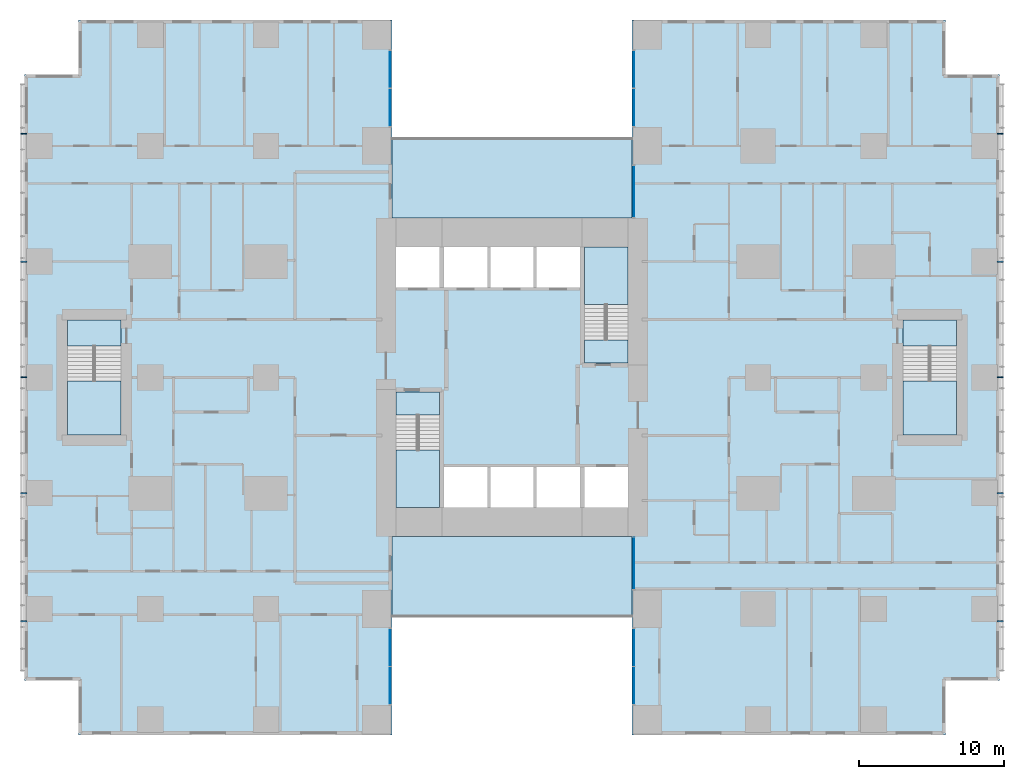
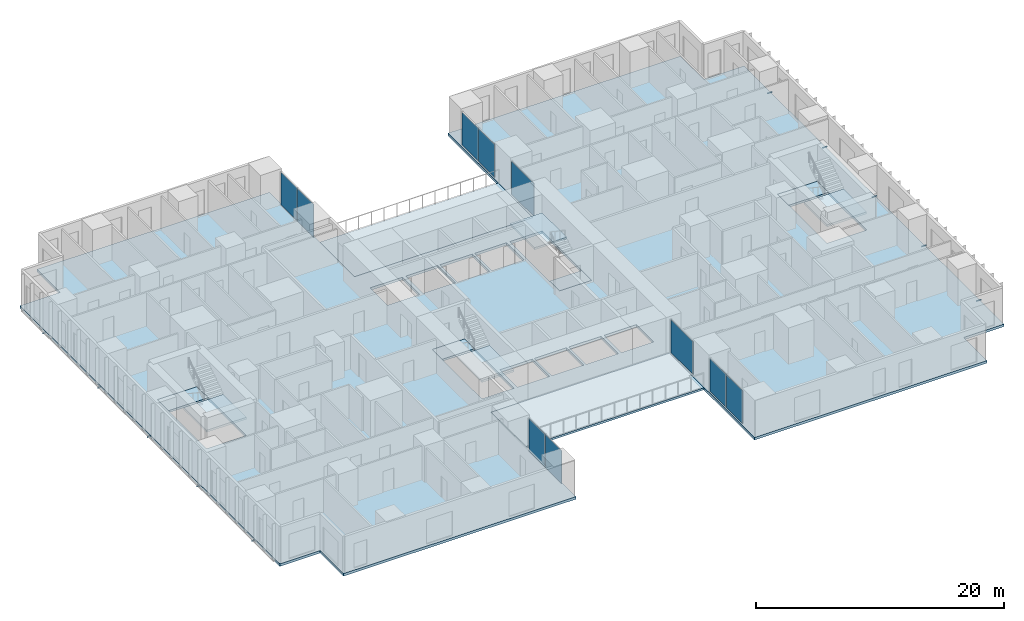
# One storey, part 7 of 20: 11 slabs, 10 members, 10 plates, 10 elements without a shape of their own.
"""IFC4 building model written with IfcOpenShell, lengths in metres."""

from ifc_helpers import new_model, si_unit, direction, frame, origin, origin_2d, place, context, subcontext, project, spatial, polyline, rectangle, hollow_rectangle, outline, extrude, material, layer, layer_set, material_profile, profile_set, type_object, element, aggregate, save


model = new_model("IFC4")

# Units and contexts
model_context = context("Model", 3, precision=1e-05, world=origin(), true_north=direction((0.0, 1.0)))
body_context = subcontext(model_context, "Body", "Model", "MODEL_VIEW")
ifc_project = project(units=[si_unit("LENGTHUNIT", "METRE"), si_unit("AREAUNIT", "SQUARE_METRE"), si_unit("VOLUMEUNIT", "CUBIC_METRE"), si_unit("PLANEANGLEUNIT", "RADIAN"), si_unit("MASSUNIT", "GRAM", prefix="KILO")], contexts=[model_context])

# Site, building, storey
site_placement = place(None, origin())
site = spatial("IfcSite", under=ifc_project, at=site_placement, CompositionType="ELEMENT")
building_placement = place(site_placement, origin())
building = spatial("IfcBuilding", under=site, at=building_placement, Name="Cleftline Residences", CompositionType="ELEMENT")
storey_placement = place(building_placement, frame((0.0, 0.0, 182.199951171875)))
storey = spatial("IfcBuildingStorey", under=building, at=storey_placement, Name="L47", CompositionType="ELEMENT", Elevation=182.199951171875)

# Members
ifc_material_1 = material(Name="Steel S355, hot-dip galvanised", Category="steel")
ifc_material_profile = material_profile(ifc_material_1, hollow_rectangle(XDim=0.10009765625, YDim=0.10009765625, WallThickness=0.008056640625, InnerFilletRadius=0.008056640625, OuterFilletRadius=0.011962890625, at=origin_2d()))
ifc_profile_set = profile_set([ifc_material_profile], Name="Steel S355, hot-dip galvanised")
member_type = type_object("IfcMemberType", Name="BAGUETTE BRACKET SHS 100X100X8", PredefinedType="USERDEFINED", material=ifc_profile_set)
for number, where, z_axis, x_axis, name in (
    (1, (66.5, 7.14990234375, -0.14990234375), (1.0, 0.0, 0.0), (0.0, 1.0, 0.0), "Baguette bracket"),
    (2, (66.5, 16.0, -0.14990234375), (1.0, 0.0, 0.0), (0.0, 1.0, 0.0), "Baguette bracket"),
    (3, (66.5, 24.0, -0.14990234375), (1.0, 0.0, 0.0), (0.0, 1.0, 0.0), "Baguette bracket"),
    (4, (66.5, 32.0, -0.14990234375), (1.0, 0.0, 0.0), (0.0, 1.0, 0.0), "Baguette bracket"),
    (5, (66.5, 40.85009765625, -0.14990234375), (1.0, 0.0, 0.0), (0.0, 1.0, 0.0), "Baguette bracket"),
    (6, (-0.5, 40.85009765625, -0.14990234375), (-1.0, 0.0, 0.0), (0.0, -1.0, 0.0), "Baguette bracket"),
    (7, (-0.5, 32.0, -0.14990234375), (-1.0, 0.0, 0.0), (0.0, -1.0, 0.0), "Baguette bracket"),
    (8, (-0.5, 24.0, -0.14990234375), (-1.0, 0.0, 0.0), (0.0, -1.0, 0.0), "Baguette bracket"),
    (9, (-0.5, 16.0, -0.14990234375), (-1.0, 0.0, 0.0), (0.0, -1.0, 0.0), "Baguette bracket"),
    (10, (-0.5, 7.14990234375, -0.14990234375), (-1.0, 0.0, 0.0), (0.0, -1.0, 0.0), "Baguette bracket"),
):
    element("IfcMember", number, at=place(storey_placement, frame(where, z_axis=z_axis, x_axis=x_axis)), inside=storey, type_object=member_type, Name=name, ObjectType="BAGUETTE BRACKET", PredefinedType="USERDEFINED", context=body_context, shape_type="SweptSolid", body=[
        extrude(hollow_rectangle(XDim=0.10009765625, YDim=0.10009765625, WallThickness=0.008056640625, InnerFilletRadius=0.008056640625, OuterFilletRadius=0.011962890625, at=origin_2d()), origin(), (0.0, 0.0, 1.0), 0.449951171875),
    ])

# Slabs
ifc_material_2 = material(Name="Concrete B45", Category="concrete")
ifc_layer_1 = layer(ifc_material_2, 0.199951171875)
ifc_layer_set_1 = layer_set([ifc_layer_1], Name="BRIDGE ROOF SLAB 200")
slab_type_1 = type_object("IfcSlabType", Name="BRIDGE ROOF SLAB 200", PredefinedType="ROOF", material=ifc_layer_set_1)
slab_1_placement = place(storey_placement, frame((0.0, 0.0, -0.199951171875)))
element("IfcSlab", 11, at=slab_1_placement, inside=storey, type_object=slab_type_1, Name="Sky bridge roof L46 N", PredefinedType="ROOF", context=body_context, shape_type="SweptSolid", body=[
    extrude(outline(polyline([(41.300048828125, 35.0), (41.300048828125, 40.60009765625), (24.699951171875, 40.60009765625), (24.699951171875, 35.0), (41.300048828125, 35.0)])), origin(), (0.0, 0.0, 1.0), 0.199951171875),
])
slab_2_placement = place(storey_placement, frame((0.0, 0.0, -0.199951171875)))
element("IfcSlab", 12, at=slab_2_placement, inside=storey, type_object=slab_type_1, Name="Sky bridge roof L46 S", PredefinedType="ROOF", context=body_context, shape_type="SweptSolid", body=[
    extrude(outline(polyline([(41.300048828125, 7.39990234375), (41.300048828125, 13.0), (24.699951171875, 13.0), (24.699951171875, 7.39990234375), (41.300048828125, 7.39990234375)])), origin(), (0.0, 0.0, 1.0), 0.199951171875),
])

# Curtain wall, plates
ifc_material_3 = material(Name="Aluminium framed curtain wall", Category="aluminium")
ifc_layer_2 = layer(ifc_material_3, 0.199951171875)
ifc_layer_set_2 = layer_set([ifc_layer_2], Name="CW1 CLEFT GLAZING")
curtain_wall_type = type_object("IfcCurtainWallType", Name="CW1 CLEFT GLAZING", PredefinedType="NOTDEFINED", material=ifc_layer_set_2)
curtain_wall_1_placement = place(storey_placement, origin())
curtain_wall_1 = element("IfcCurtainWall", 13, at=curtain_wall_1_placement, inside=storey, type_object=curtain_wall_type, Name="Curtain wall CW1", PredefinedType="NOTDEFINED")
ifc_material_4 = material(Name="Laminated clear glass", Category="glass")
ifc_layer_3 = layer(ifc_material_4, 0.028076171875)
ifc_layer_set_3 = layer_set([ifc_layer_3], Name="CW1 GLASS PANEL")
plate_type = type_object("IfcPlateType", Name="CW1 GLASS PANEL", PredefinedType="CURTAIN_PANEL", material=ifc_layer_set_3)
plate_1_placement = place(storey_placement, frame((24.574951171875, 2.702392578125, 0.06005859375), z_axis=(0.0, 0.0, 1.0), x_axis=(0.0, 1.0, 0.0)))
plate_1 = element("IfcPlate", 14, at=plate_1_placement, type_object=plate_type, Name="CW1 panel 1.1", PredefinedType="CURTAIN_PANEL", context=body_context, shape_type="SweptSolid", body=[
    extrude(rectangle(XDim=2.5849609375, YDim=0.028076171875, at=origin_2d()), origin(), (0.0, 0.0, 1.0), 3.22998046875),
])
plate_2_placement = place(storey_placement, frame((24.574951171875, 5.347412109375, 0.06005859375), z_axis=(0.0, 0.0, 1.0), x_axis=(0.0, 1.0, 0.0)))
plate_2 = element("IfcPlate", 15, at=plate_2_placement, type_object=plate_type, Name="CW1 panel 2.1", PredefinedType="CURTAIN_PANEL", context=body_context, shape_type="SweptSolid", body=[
    extrude(rectangle(XDim=2.5849609375, YDim=0.028076171875, at=origin_2d()), origin(), (0.0, 0.0, 1.0), 3.22998046875),
])
aggregate(curtain_wall_1, [plate_1, plate_2])

# Curtain wall, plate
curtain_wall_2_placement = place(storey_placement, origin())
curtain_wall_2 = element("IfcCurtainWall", 16, at=curtain_wall_2_placement, inside=storey, type_object=curtain_wall_type, Name="Curtain wall CW1", PredefinedType="NOTDEFINED")
plate_3_placement = place(storey_placement, frame((41.425048828125, 11.14990234375, 0.06005859375), z_axis=(0.0, 0.0, 1.0), x_axis=(0.0, -1.0, 0.0)))
plate_3 = element("IfcPlate", 17, at=plate_3_placement, type_object=plate_type, Name="CW1 panel 1.1", PredefinedType="CURTAIN_PANEL", context=body_context, shape_type="SweptSolid", body=[
    extrude(rectangle(XDim=3.580078125, YDim=0.028076171875, at=origin_2d()), origin(), (0.0, 0.0, 1.0), 3.22998046875),
])
aggregate(curtain_wall_2, [plate_3])

# Curtain wall, plates
curtain_wall_3_placement = place(storey_placement, origin())
curtain_wall_3 = element("IfcCurtainWall", 18, at=curtain_wall_3_placement, inside=storey, type_object=curtain_wall_type, Name="Curtain wall CW1", PredefinedType="NOTDEFINED")
plate_4_placement = place(storey_placement, frame((41.425048828125, 5.347412109375, 0.06005859375), z_axis=(0.0, 0.0, 1.0), x_axis=(0.0, -1.0, 0.0)))
plate_4 = element("IfcPlate", 19, at=plate_4_placement, type_object=plate_type, Name="CW1 panel 1.1", PredefinedType="CURTAIN_PANEL", context=body_context, shape_type="SweptSolid", body=[
    extrude(rectangle(XDim=2.5849609375, YDim=0.028076171875, at=origin_2d()), origin(), (0.0, 0.0, 1.0), 3.22998046875),
])
plate_5_placement = place(storey_placement, frame((41.425048828125, 2.702392578125, 0.06005859375), z_axis=(0.0, 0.0, 1.0), x_axis=(0.0, -1.0, 0.0)))
plate_5 = element("IfcPlate", 20, at=plate_5_placement, type_object=plate_type, Name="CW1 panel 2.1", PredefinedType="CURTAIN_PANEL", context=body_context, shape_type="SweptSolid", body=[
    extrude(rectangle(XDim=2.5849609375, YDim=0.028076171875, at=origin_2d()), origin(), (0.0, 0.0, 1.0), 3.22998046875),
])
aggregate(curtain_wall_3, [plate_4, plate_5])

curtain_wall_4_placement = place(storey_placement, origin())
curtain_wall_4 = element("IfcCurtainWall", 21, at=curtain_wall_4_placement, inside=storey, type_object=curtain_wall_type, Name="Curtain wall CW1", PredefinedType="NOTDEFINED")
plate_6_placement = place(storey_placement, frame((41.425048828125, 45.297607421875, 0.06005859375), z_axis=(0.0, 0.0, 1.0), x_axis=(0.0, -1.0, 0.0)))
plate_6 = element("IfcPlate", 22, at=plate_6_placement, type_object=plate_type, Name="CW1 panel 1.1", PredefinedType="CURTAIN_PANEL", context=body_context, shape_type="SweptSolid", body=[
    extrude(rectangle(XDim=2.5849609375, YDim=0.028076171875, at=origin_2d()), origin(), (0.0, 0.0, 1.0), 3.22998046875),
])
plate_7_placement = place(storey_placement, frame((41.425048828125, 42.652587890625, 0.06005859375), z_axis=(0.0, 0.0, 1.0), x_axis=(0.0, -1.0, 0.0)))
plate_7 = element("IfcPlate", 23, at=plate_7_placement, type_object=plate_type, Name="CW1 panel 2.1", PredefinedType="CURTAIN_PANEL", context=body_context, shape_type="SweptSolid", body=[
    extrude(rectangle(XDim=2.5849609375, YDim=0.028076171875, at=origin_2d()), origin(), (0.0, 0.0, 1.0), 3.22998046875),
])
aggregate(curtain_wall_4, [plate_6, plate_7])

# Curtain wall, plate
curtain_wall_5_placement = place(storey_placement, origin())
curtain_wall_5 = element("IfcCurtainWall", 24, at=curtain_wall_5_placement, inside=storey, type_object=curtain_wall_type, Name="Curtain wall CW1", PredefinedType="NOTDEFINED")
plate_8_placement = place(storey_placement, frame((41.425048828125, 36.85009765625, 0.06005859375), z_axis=(0.0, 0.0, 1.0), x_axis=(0.0, -1.0, 0.0)))
plate_8 = element("IfcPlate", 25, at=plate_8_placement, type_object=plate_type, Name="CW1 panel 1.1", PredefinedType="CURTAIN_PANEL", context=body_context, shape_type="SweptSolid", body=[
    extrude(rectangle(XDim=3.580078125, YDim=0.028076171875, at=origin_2d()), origin(), (0.0, 0.0, 1.0), 3.22998046875),
])
aggregate(curtain_wall_5, [plate_8])

# Curtain wall, plates
curtain_wall_6_placement = place(storey_placement, origin())
curtain_wall_6 = element("IfcCurtainWall", 26, at=curtain_wall_6_placement, inside=storey, type_object=curtain_wall_type, Name="Curtain wall CW1", PredefinedType="NOTDEFINED")
plate_9_placement = place(storey_placement, frame((24.574951171875, 42.652587890625, 0.06005859375), z_axis=(0.0, 0.0, 1.0), x_axis=(0.0, 1.0, 0.0)))
plate_9 = element("IfcPlate", 27, at=plate_9_placement, type_object=plate_type, Name="CW1 panel 1.1", PredefinedType="CURTAIN_PANEL", context=body_context, shape_type="SweptSolid", body=[
    extrude(rectangle(XDim=2.5849609375, YDim=0.028076171875, at=origin_2d()), origin(), (0.0, 0.0, 1.0), 3.22998046875),
])
plate_10_placement = place(storey_placement, frame((24.574951171875, 45.297607421875, 0.06005859375), z_axis=(0.0, 0.0, 1.0), x_axis=(0.0, 1.0, 0.0)))
plate_10 = element("IfcPlate", 28, at=plate_10_placement, type_object=plate_type, Name="CW1 panel 2.1", PredefinedType="CURTAIN_PANEL", context=body_context, shape_type="SweptSolid", body=[
    extrude(rectangle(XDim=2.5849609375, YDim=0.028076171875, at=origin_2d()), origin(), (0.0, 0.0, 1.0), 3.22998046875),
])
aggregate(curtain_wall_6, [plate_9, plate_10])

# Slab
ifc_material_5 = material(Name="Concrete B45", Category="concrete")
ifc_layer_4 = layer(ifc_material_5, 0.25)
ifc_layer_set_4 = layer_set([ifc_layer_4], Name="FLOOR SLAB 250")
slab_type_2 = type_object("IfcSlabType", Name="FLOOR SLAB 250", PredefinedType="FLOOR", material=ifc_layer_set_4)
slab_3_placement = place(storey_placement, frame((0.0, 0.0, -0.25)))
element("IfcSlab", 29, at=slab_3_placement, inside=storey, type_object=slab_type_2, Name="Floor slab L47", PredefinedType="FLOOR", context=body_context, shape_type="SweptSolid", body=[
    extrude(outline(polyline([(24.699951171875, 13.0), (41.300048828125, 13.0), (41.300048828125, -0.699951171875), (62.949951171875, -0.699951171875), (62.949951171875, 3.050048828125), (66.699951171875, 3.050048828125), (66.699951171875, 44.949951171875), (62.949951171875, 44.949951171875), (62.949951171875, 48.699951171875), (41.300048828125, 48.699951171875), (41.300048828125, 35.0), (24.699951171875, 35.0), (24.699951171875, 48.699951171875), (3.050048828125, 48.699951171875), (3.050048828125, 44.949951171875), (-0.699951171875, 44.949951171875), (-0.699951171875, 3.050048828125), (3.050048828125, 3.050048828125), (3.050048828125, -0.699951171875), (24.699951171875, -0.699951171875), (24.699951171875, 13.0)]), holes=[polyline([(28.0, 15.0), (28.0, 23.0), (25.0, 23.0), (25.0, 15.0), (28.0, 15.0)]), polyline([(41.0, 25.0), (41.0, 33.0), (38.0, 33.0), (38.0, 25.0), (41.0, 25.0)]), polyline([(28.0, 30.199951171875), (28.0, 33.0), (25.0, 33.0), (25.0, 30.199951171875), (28.0, 30.199951171875)]), polyline([(41.0, 15.0), (41.0, 17.800048828125), (38.0, 17.800048828125), (38.0, 15.0), (41.0, 15.0)]), polyline([(31.300048828125, 15.0), (31.300048828125, 17.800048828125), (28.300048828125, 17.800048828125), (28.300048828125, 15.0), (31.300048828125, 15.0)]), polyline([(34.5, 15.0), (34.5, 17.800048828125), (31.5, 17.800048828125), (31.5, 15.0), (34.5, 15.0)]), polyline([(37.699951171875, 15.0), (37.699951171875, 17.800048828125), (34.699951171875, 17.800048828125), (34.699951171875, 15.0), (37.699951171875, 15.0)]), polyline([(31.300048828125, 30.199951171875), (31.300048828125, 33.0), (28.300048828125, 33.0), (28.300048828125, 30.199951171875), (31.300048828125, 30.199951171875)]), polyline([(34.5, 30.199951171875), (34.5, 33.0), (31.5, 33.0), (31.5, 30.199951171875), (34.5, 30.199951171875)]), polyline([(37.699951171875, 30.199951171875), (37.699951171875, 33.0), (34.699951171875, 33.0), (34.699951171875, 30.199951171875), (37.699951171875, 30.199951171875)]), polyline([(63.72509765625, 20.02490234375), (63.72509765625, 27.97509765625), (60.02490234375, 27.97509765625), (60.02490234375, 20.02490234375), (63.72509765625, 20.02490234375)]), polyline([(5.97509765625, 20.02490234375), (5.97509765625, 27.97509765625), (2.27490234375, 27.97509765625), (2.27490234375, 20.02490234375), (5.97509765625, 20.02490234375)])]), origin(), (0.0, 0.0, 1.0), 0.25),
])

# Stair, slabs
ifc_material_6 = material(Name="Concrete B45, stone treads", Category="masonry")
stair_type_1 = type_object("IfcStairType", Name="STAIR A 1450 WIDE 180 RISER", PredefinedType="HALF_TURN_STAIR", material=ifc_material_6)
stair_1_placement = place(storey_placement, origin())
stair_1 = element("IfcStair", 30, at=stair_1_placement, inside=storey, type_object=stair_type_1, Name="Stair A L47", PredefinedType="HALF_TURN_STAIR")
ifc_material_7 = material(Name="Concrete B45", Category="concrete")
ifc_layer_5 = layer(ifc_material_7, 0.199951171875)
ifc_layer_set_5 = layer_set([ifc_layer_5], Name="STAIR LANDING 200")
slab_type_3 = type_object("IfcSlabType", Name="STAIR LANDING 200", PredefinedType="LANDING", material=ifc_layer_set_5)
slab_4_placement = place(storey_placement, frame((0.0, 0.0, -0.199951171875)))
slab_4 = element("IfcSlab", 31, at=slab_4_placement, type_object=slab_type_3, Name="ST-A landing 1", PredefinedType="LANDING", context=body_context, shape_type="SweptSolid", body=[
    extrude(outline(polyline([(25.0, 21.39990234375), (28.0, 21.39990234375), (28.0, 23.0), (25.0, 23.0), (25.0, 21.39990234375)])), origin(), (0.0, 0.0, 1.0), 0.199951171875),
])
slab_5_placement = place(storey_placement, frame((0.0, 0.0, 1.60009765625)))
slab_5 = element("IfcSlab", 32, at=slab_5_placement, type_object=slab_type_3, Name="ST-A landing 2", PredefinedType="LANDING", context=body_context, shape_type="SweptSolid", body=[
    extrude(outline(polyline([(25.0, 15.0), (28.0, 15.0), (28.0, 18.969970703125), (25.0, 18.969970703125), (25.0, 15.0)])), origin(), (0.0, 0.0, 1.0), 0.199951171875),
])
aggregate(stair_1, [slab_4, slab_5])

ifc_material_8 = material(Name="Concrete B45, stone treads", Category="masonry")
stair_type_2 = type_object("IfcStairType", Name="STAIR B 1450 WIDE 180 RISER", PredefinedType="HALF_TURN_STAIR", material=ifc_material_8)
stair_2_placement = place(storey_placement, origin())
stair_2 = element("IfcStair", 33, at=stair_2_placement, inside=storey, type_object=stair_type_2, Name="Stair B L47", PredefinedType="HALF_TURN_STAIR")
slab_6_placement = place(storey_placement, frame((0.0, 0.0, -0.199951171875)))
slab_6 = element("IfcSlab", 34, at=slab_6_placement, type_object=slab_type_3, Name="ST-B landing 1", PredefinedType="LANDING", context=body_context, shape_type="SweptSolid", body=[
    extrude(outline(polyline([(38.0, 25.0), (41.0, 25.0), (41.0, 26.60009765625), (38.0, 26.60009765625), (38.0, 25.0)])), origin(), (0.0, 0.0, 1.0), 0.199951171875),
])
slab_7_placement = place(storey_placement, frame((0.0, 0.0, 1.60009765625)))
slab_7 = element("IfcSlab", 35, at=slab_7_placement, type_object=slab_type_3, Name="ST-B landing 2", PredefinedType="LANDING", context=body_context, shape_type="SweptSolid", body=[
    extrude(outline(polyline([(38.0, 29.030029296875), (41.0, 29.030029296875), (41.0, 33.0), (38.0, 33.0), (38.0, 29.030029296875)])), origin(), (0.0, 0.0, 1.0), 0.199951171875),
])
aggregate(stair_2, [slab_6, slab_7])

ifc_material_9 = material(Name="Concrete B45, stone treads", Category="masonry")
stair_type_3 = type_object("IfcStairType", Name="STAIR E 1800 WIDE 180 RISER", PredefinedType="HALF_TURN_STAIR", material=ifc_material_9)
stair_3_placement = place(storey_placement, origin())
stair_3 = element("IfcStair", 36, at=stair_3_placement, inside=storey, type_object=stair_type_3, Name="Stair E L47", PredefinedType="HALF_TURN_STAIR")
slab_8_placement = place(storey_placement, frame((0.0, 0.0, -0.199951171875)))
slab_8 = element("IfcSlab", 37, at=slab_8_placement, type_object=slab_type_3, Name="ST-E landing 1", PredefinedType="LANDING", context=body_context, shape_type="SweptSolid", body=[
    extrude(outline(polyline([(60.02490234375, 26.175048828125), (63.72509765625, 26.175048828125), (63.72509765625, 27.97509765625), (60.02490234375, 27.97509765625), (60.02490234375, 26.175048828125)])), origin(), (0.0, 0.0, 1.0), 0.199951171875),
])
slab_9_placement = place(storey_placement, frame((0.0, 0.0, 1.60009765625)))
slab_9 = element("IfcSlab", 38, at=slab_9_placement, type_object=slab_type_3, Name="ST-E landing 2", PredefinedType="LANDING", context=body_context, shape_type="SweptSolid", body=[
    extrude(outline(polyline([(60.02490234375, 20.02490234375), (63.72509765625, 20.02490234375), (63.72509765625, 23.7451171875), (60.02490234375, 23.7451171875), (60.02490234375, 20.02490234375)])), origin(), (0.0, 0.0, 1.0), 0.199951171875),
])
aggregate(stair_3, [slab_8, slab_9])

ifc_material_10 = material(Name="Concrete B45, stone treads", Category="masonry")
stair_type_4 = type_object("IfcStairType", Name="STAIR W 1800 WIDE 180 RISER", PredefinedType="HALF_TURN_STAIR", material=ifc_material_10)
stair_4_placement = place(storey_placement, origin())
stair_4 = element("IfcStair", 39, at=stair_4_placement, inside=storey, type_object=stair_type_4, Name="Stair W L47", PredefinedType="HALF_TURN_STAIR")
slab_10_placement = place(storey_placement, frame((0.0, 0.0, -0.199951171875)))
slab_10 = element("IfcSlab", 40, at=slab_10_placement, type_object=slab_type_3, Name="ST-W landing 1", PredefinedType="LANDING", context=body_context, shape_type="SweptSolid", body=[
    extrude(outline(polyline([(2.27490234375, 26.175048828125), (5.97509765625, 26.175048828125), (5.97509765625, 27.97509765625), (2.27490234375, 27.97509765625), (2.27490234375, 26.175048828125)])), origin(), (0.0, 0.0, 1.0), 0.199951171875),
])
slab_11_placement = place(storey_placement, frame((0.0, 0.0, 1.60009765625)))
slab_11 = element("IfcSlab", 41, at=slab_11_placement, type_object=slab_type_3, Name="ST-W landing 2", PredefinedType="LANDING", context=body_context, shape_type="SweptSolid", body=[
    extrude(outline(polyline([(2.27490234375, 20.02490234375), (5.97509765625, 20.02490234375), (5.97509765625, 23.7451171875), (2.27490234375, 23.7451171875), (2.27490234375, 20.02490234375)])), origin(), (0.0, 0.0, 1.0), 0.199951171875),
])
aggregate(stair_4, [slab_10, slab_11])

save(model, "model.ifc")
